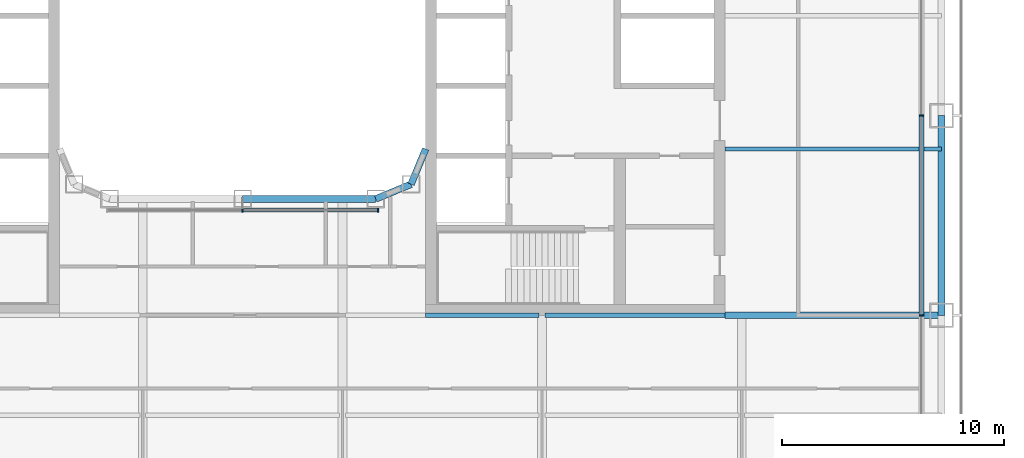
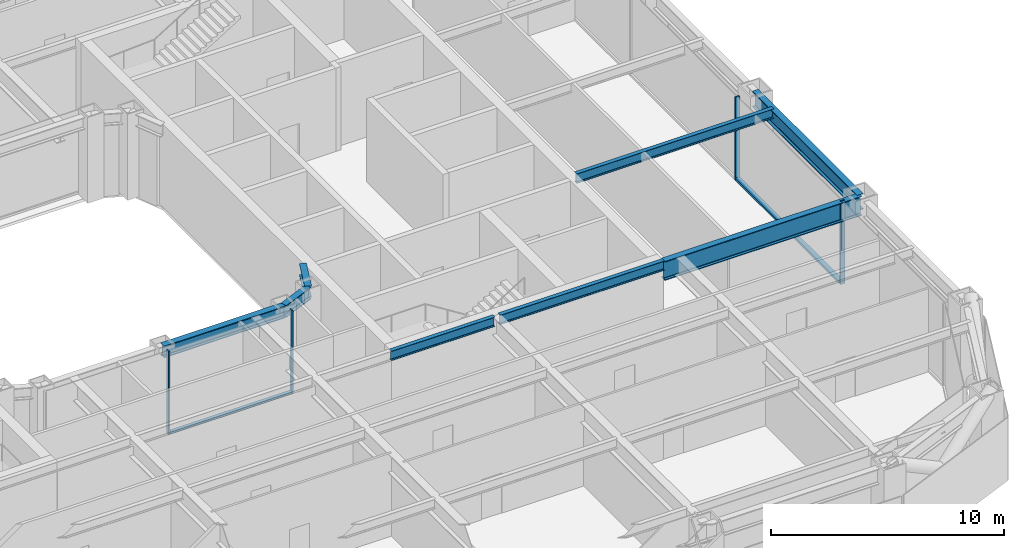
# One storey, part 5 of 30: 8 beams, 6 members, 2 elements without a shape of their own.
"""IFC4 building model written with IfcOpenShell, lengths in metres."""

from ifc_helpers import new_model, si_unit, direction, frame, origin, origin_2d, place, context, subcontext, project, spatial, rectangle, i_section, extrude, material, layer, layer_set, material_profile, profile_set, type_object, element, aggregate, save


model = new_model("IFC4")

# Units and contexts
model_context = context("Model", 3, precision=1e-05, world=origin(), true_north=direction((0.0, 1.0)))
body_context = subcontext(model_context, "Body", "Model", "MODEL_VIEW")
ifc_project = project(units=[si_unit("LENGTHUNIT", "METRE"), si_unit("AREAUNIT", "SQUARE_METRE"), si_unit("VOLUMEUNIT", "CUBIC_METRE"), si_unit("PLANEANGLEUNIT", "RADIAN"), si_unit("MASSUNIT", "GRAM", prefix="KILO")], contexts=[model_context])

# Site, building, storey
site_placement = place(None, origin())
site = spatial("IfcSite", under=ifc_project, at=site_placement, CompositionType="ELEMENT")
building_placement = place(site_placement, origin())
building = spatial("IfcBuilding", under=site, at=building_placement, Name="Siwar Civic Tower", CompositionType="ELEMENT")
storey_placement = place(building_placement, frame((0.0, 0.0, 44.699951171875)))
storey = spatial("IfcBuildingStorey", under=building, at=storey_placement, Name="L09", CompositionType="ELEMENT", Elevation=44.699951171875)

# Curtain wall, members
ifc_material_1 = material(Name="Aluminium and glass", Category="aluminium")
ifc_layer_1 = layer(ifc_material_1, 0.219970703125)
ifc_layer_set_1 = layer_set([ifc_layer_1], Name="Aluminium and glass")
curtain_wall_type_1 = type_object("IfcCurtainWallType", Name="ENV-CW-A", PredefinedType="NOTDEFINED", material=ifc_layer_set_1)
curtain_wall_1_placement = place(storey_placement, origin())
curtain_wall_1 = element("IfcCurtainWall", 1, at=curtain_wall_1_placement, inside=storey, type_object=curtain_wall_type_1, Name="Curtain wall A E", PredefinedType="NOTDEFINED")
ifc_material_2 = material(Name="Aluminium 6063-T6", Category="aluminium")
ifc_material_profile_1 = material_profile(ifc_material_2, rectangle(XDim=0.219970703125, YDim=0.070068359375, at=origin_2d()), Name="AL 220x70")
ifc_profile_set_1 = profile_set([ifc_material_profile_1], Name="Aluminium 6063-T6")
member_type_1 = type_object("IfcMemberType", Name="ENV-MULLION-A", PredefinedType="MULLION", material=ifc_profile_set_1)
member_1_placement = place(storey_placement, frame((30.60009765625, -13.5, 0.0), z_axis=(0.0, 0.0, 1.0), x_axis=(-1.0, 0.0, 0.0)))
member_1 = element("IfcMember", 2, at=member_1_placement, type_object=member_type_1, Name="Mullion A E 2", PredefinedType="MULLION", context=body_context, shape_type="SweptSolid", body=[
    extrude(rectangle(XDim=0.219970703125, YDim=0.070068359375, at=origin_2d()), origin(), (0.0, 0.0, 1.0), 4.35009765625),
])
member_2_placement = place(storey_placement, frame((30.60009765625, -4.5, 0.0), z_axis=(0.0, 0.0, 1.0), x_axis=(-1.0, 0.0, 0.0)))
member_2 = element("IfcMember", 3, at=member_2_placement, type_object=member_type_1, Name="Mullion A E 3", PredefinedType="MULLION", context=body_context, shape_type="SweptSolid", body=[
    extrude(rectangle(XDim=0.219970703125, YDim=0.070068359375, at=origin_2d()), origin(), (0.0, 0.0, 1.0), 4.35009765625),
])

ifc_material_3 = material(Name="Aluminium and glass", Category="aluminium")
ifc_layer_2 = layer(ifc_material_3, 0.179931640625)
ifc_layer_set_2 = layer_set([ifc_layer_2], Name="Aluminium and glass")
curtain_wall_type_2 = type_object("IfcCurtainWallType", Name="ENV-CW-W", PredefinedType="NOTDEFINED", material=ifc_layer_set_2)
curtain_wall_2_placement = place(storey_placement, origin())
curtain_wall_2 = element("IfcCurtainWall", 4, at=curtain_wall_2_placement, inside=storey, type_object=curtain_wall_type_2, Name="Curtain wall W WS", PredefinedType="NOTDEFINED")
ifc_material_4 = material(Name="Aluminium 6063-T6", Category="aluminium")
ifc_material_profile_2 = material_profile(ifc_material_4, rectangle(XDim=0.179931640625, YDim=0.06005859375, at=origin_2d()), Name="AL 180x60")
ifc_profile_set_2 = profile_set([ifc_material_profile_2], Name="Aluminium 6063-T6")
member_type_2 = type_object("IfcMemberType", Name="ENV-MULLION-W", PredefinedType="MULLION", material=ifc_profile_set_2)
member_3_placement = place(storey_placement, frame((0.0, -8.760009765625, 0.0), z_axis=(0.0, 0.0, 1.0), x_axis=(0.0, 1.0, 0.0)))
member_3 = element("IfcMember", 5, at=member_3_placement, type_object=member_type_2, Name="Mullion W WS 2", PredefinedType="MULLION", context=body_context, shape_type="SweptSolid", body=[
    extrude(rectangle(XDim=0.179931640625, YDim=0.06005859375, at=origin_2d()), origin(), (0.0, 0.0, 1.0), 4.35009765625),
])
member_4_placement = place(storey_placement, frame((6.1015625, -8.760009765625, 0.0), z_axis=(0.0, 0.0, 1.0), x_axis=(0.0, 1.0, 0.0)))
member_4 = element("IfcMember", 6, at=member_4_placement, type_object=member_type_2, Name="Mullion W WS 3", PredefinedType="MULLION", context=body_context, shape_type="SweptSolid", body=[
    extrude(rectangle(XDim=0.179931640625, YDim=0.06005859375, at=origin_2d()), origin(), (0.0, 0.0, 1.0), 4.35009765625),
])

# Member
ifc_material_5 = material(Name="Aluminium 6063-T6", Category="aluminium")
ifc_material_profile_3 = material_profile(ifc_material_5, rectangle(XDim=0.219970703125, YDim=0.1201171875, at=origin_2d()), Name="AL 220x120")
ifc_profile_set_3 = profile_set([ifc_material_profile_3], Name="Aluminium 6063-T6")
member_type_3 = type_object("IfcMemberType", Name="ENV-TRANSOM-A", PredefinedType="USERDEFINED", material=ifc_profile_set_3)
member_5_placement = place(storey_placement, frame((30.60009765625, -13.465087890625, 0.06005859375), z_axis=(0.0, 1.0, 0.0), x_axis=(-1.0, 0.0, 0.0)))
member_5 = element("IfcMember", 7, at=member_5_placement, type_object=member_type_3, Name="Transom A E 2", ObjectType="TRANSOM", PredefinedType="USERDEFINED", context=body_context, shape_type="SweptSolid", body=[
    extrude(rectangle(XDim=0.219970703125, YDim=0.1201171875, at=origin_2d()), origin(), (0.0, 0.0, 1.0), 8.93017578125),
])

aggregate(curtain_wall_1, [member_1, member_2, member_5])

ifc_material_6 = material(Name="Aluminium 6063-T6", Category="aluminium")
ifc_material_profile_4 = material_profile(ifc_material_6, rectangle(XDim=0.179931640625, YDim=0.10009765625, at=origin_2d()), Name="AL 180x100")
ifc_profile_set_4 = profile_set([ifc_material_profile_4], Name="Aluminium 6063-T6")
member_type_4 = type_object("IfcMemberType", Name="ENV-TRANSOM-W", PredefinedType="USERDEFINED", material=ifc_profile_set_4)
member_6_placement = place(storey_placement, frame((0.030029296875, -8.760009765625, 0.050048828125), z_axis=(1.0, 0.0, 0.0), x_axis=(0.0, 1.0, 0.0)))
member_6 = element("IfcMember", 8, at=member_6_placement, type_object=member_type_4, Name="Transom W WS 2", ObjectType="TRANSOM", PredefinedType="USERDEFINED", context=body_context, shape_type="SweptSolid", body=[
    extrude(rectangle(XDim=0.179931640625, YDim=0.10009765625, at=origin_2d()), origin(), (0.0, 0.0, 1.0), 6.04150390625),
])

aggregate(curtain_wall_2, [member_3, member_4, member_6])

# Beams
ifc_material_7 = material(Name="Steel S355", Category="steel")
ifc_material_profile_5 = material_profile(ifc_material_7, i_section(OverallWidth=0.199951171875, OverallDepth=0.5, WebThickness=0.01025390625, FlangeThickness=0.01611328125, FilletRadius=0.02099609375, at=origin_2d()), Name="IPE500")
ifc_profile_set_5 = profile_set([ifc_material_profile_5], Name="Steel S355")
beam_type_1 = type_object("IfcBeamType", Name="STR-FB-IPE500", PredefinedType="JOIST", material=ifc_profile_set_5)
beam_1_placement = place(storey_placement, frame((8.25, -13.5, 4.10009765625), z_axis=(1.0, 0.0, 0.0), x_axis=(0.0, 1.0, 0.0)))
element("IfcBeam", 9, at=beam_1_placement, inside=storey, type_object=beam_type_1, Name="L09/bm/F028", PredefinedType="JOIST", context=body_context, shape_type="SweptSolid", body=[
    extrude(i_section(OverallWidth=0.199951171875, OverallDepth=0.5, WebThickness=0.01025390625, FlangeThickness=0.01611328125, FilletRadius=0.02099609375, at=origin_2d()), origin(), (0.0, 0.0, 1.0), 5.1201171875),
])
beam_2_placement = place(storey_placement, frame((13.6298828125, -13.5, 4.10009765625), z_axis=(1.0, 0.0, 0.0), x_axis=(0.0, 1.0, 0.0)))
element("IfcBeam", 10, at=beam_2_placement, inside=storey, type_object=beam_type_1, Name="L09/bm/F029", PredefinedType="JOIST", context=body_context, shape_type="SweptSolid", body=[
    extrude(i_section(OverallWidth=0.199951171875, OverallDepth=0.5, WebThickness=0.01025390625, FlangeThickness=0.01611328125, FilletRadius=0.02099609375, at=origin_2d()), origin(), (0.0, 0.0, 1.0), 8.1201171875),
])
beam_3_placement = place(storey_placement, frame((21.75, -6.0, 4.10009765625), z_axis=(1.0, 0.0, 0.0), x_axis=(0.0, 1.0, 0.0)))
element("IfcBeam", 11, at=beam_3_placement, inside=storey, type_object=beam_type_1, Name="L09/bm/F032", PredefinedType="JOIST", context=body_context, shape_type="SweptSolid", body=[
    extrude(i_section(OverallWidth=0.199951171875, OverallDepth=0.5, WebThickness=0.01025390625, FlangeThickness=0.01611328125, FilletRadius=0.02099609375, at=origin_2d()), origin(), (0.0, 0.0, 1.0), 9.75),
])
ifc_material_8 = material(Name="Steel S355", Category="steel")
ifc_material_profile_6 = material_profile(ifc_material_8, i_section(OverallWidth=0.300048828125, OverallDepth=1.0, WebThickness=0.01904296875, FlangeThickness=0.035888671875, FilletRadius=0.030029296875, at=origin_2d()), Name="HEB1000")
ifc_profile_set_6 = profile_set([ifc_material_profile_6], Name="Steel S355")
beam_type_2 = type_object("IfcBeamType", Name="STR-PG-HEB1000", PredefinedType="BEAM", material=ifc_profile_set_6)
beam_4_placement = place(storey_placement, frame((21.75, -13.5, 3.85009765625), z_axis=(1.0, 0.0, 0.0), x_axis=(0.0, 1.0, 0.0)))
element("IfcBeam", 12, at=beam_4_placement, inside=storey, type_object=beam_type_2, Name="L09/bm/F030", PredefinedType="BEAM", context=body_context, shape_type="SweptSolid", body=[
    extrude(i_section(OverallWidth=0.300048828125, OverallDepth=1.0, WebThickness=0.01904296875, FlangeThickness=0.035888671875, FilletRadius=0.030029296875, at=origin_2d()), origin(), (0.0, 0.0, 1.0), 9.75),
])
ifc_material_9 = material(Name="Steel S355", Category="steel")
ifc_material_profile_7 = material_profile(ifc_material_9, i_section(OverallWidth=0.304931640625, OverallDepth=0.6201171875, WebThickness=0.02099609375, FlangeThickness=0.0400390625, FilletRadius=0.027099609375, at=origin_2d()), Name="HEM600")
ifc_profile_set_7 = profile_set([ifc_material_profile_7], Name="Steel S355")
beam_type_3 = type_object("IfcBeamType", Name="STR-RB-HEM600", PredefinedType="BEAM", material=ifc_profile_set_7)
beam_5_placement = place(storey_placement, frame((0.0, -8.25, 4.0400390625), z_axis=(1.0, 0.0, 0.0), x_axis=(0.0, 1.0, 0.0)))
element("IfcBeam", 13, at=beam_5_placement, inside=storey, type_object=beam_type_3, Name="L09/bm/RS2", PredefinedType="BEAM", context=body_context, shape_type="SweptSolid", body=[
    extrude(i_section(OverallWidth=0.304931640625, OverallDepth=0.6201171875, WebThickness=0.02099609375, FlangeThickness=0.0400390625, FilletRadius=0.027099609375, at=origin_2d()), origin(), (0.0, 0.0, 1.0), 6.0),
])
for number, where, z_axis, x_axis, name in (
    (14, (6.0, -8.25, 4.0400390625), (0.923901072997, 0.382631424892, 0.0), (-0.382631424892, 0.923901072997, 0.0), "L09/bm/RS3"),
    (15, (7.591064453125, -7.591064453125, 4.0400390625), (0.382631424892, 0.923901072997, 0.0), (-0.923901072997, 0.382631424892, 0.0), "L09/bm/RSEE"),
):
    element("IfcBeam", number, at=place(storey_placement, frame(where, z_axis=z_axis, x_axis=x_axis)), inside=storey, type_object=beam_type_3, Name=name, PredefinedType="BEAM", context=body_context, shape_type="SweptSolid", body=[
        extrude(i_section(OverallWidth=0.304931640625, OverallDepth=0.6201171875, WebThickness=0.02099609375, FlangeThickness=0.0400390625, FilletRadius=0.027099609375, at=origin_2d()), origin(), (0.0, 0.0, 1.0), 1.72216796875),
    ])
ifc_material_10 = material(Name="Steel S355", Category="steel")
ifc_material_profile_8 = material_profile(ifc_material_10, i_section(OverallWidth=0.302978515625, OverallDepth=0.81396484375, WebThickness=0.02099609375, FlangeThickness=0.0400390625, FilletRadius=0.030029296875, at=origin_2d()), Name="HEM800")
ifc_profile_set_8 = profile_set([ifc_material_profile_8], Name="Steel S355")
beam_type_4 = type_object("IfcBeamType", Name="STR-SB-HEM800", PredefinedType="BEAM", material=ifc_profile_set_8)
beam_6_placement = place(storey_placement, frame((31.5, -13.5, 3.943115234375), z_axis=(0.0, 1.0, 0.0), x_axis=(-1.0, 0.0, 0.0)))
element("IfcBeam", 16, at=beam_6_placement, inside=storey, type_object=beam_type_4, Name="L09/bm/SE-1", PredefinedType="BEAM", context=body_context, shape_type="SweptSolid", body=[
    extrude(i_section(OverallWidth=0.302978515625, OverallDepth=0.81396484375, WebThickness=0.02099609375, FlangeThickness=0.0400390625, FilletRadius=0.030029296875, at=origin_2d()), origin(), (0.0, 0.0, 1.0), 9.0),
])

save(model, "model.ifc")
